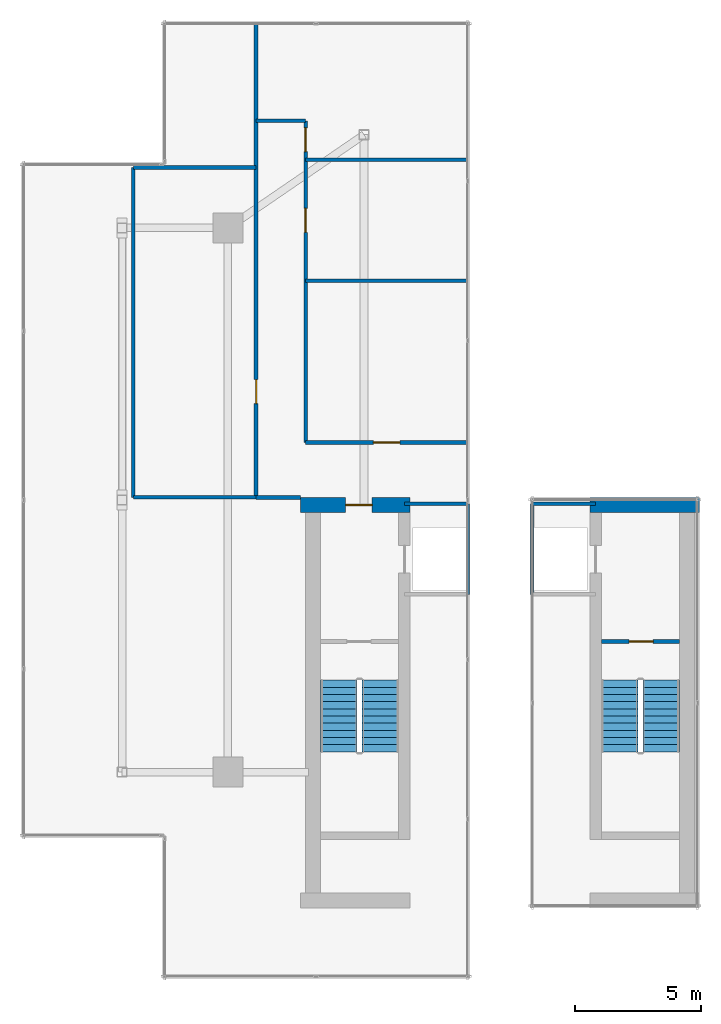
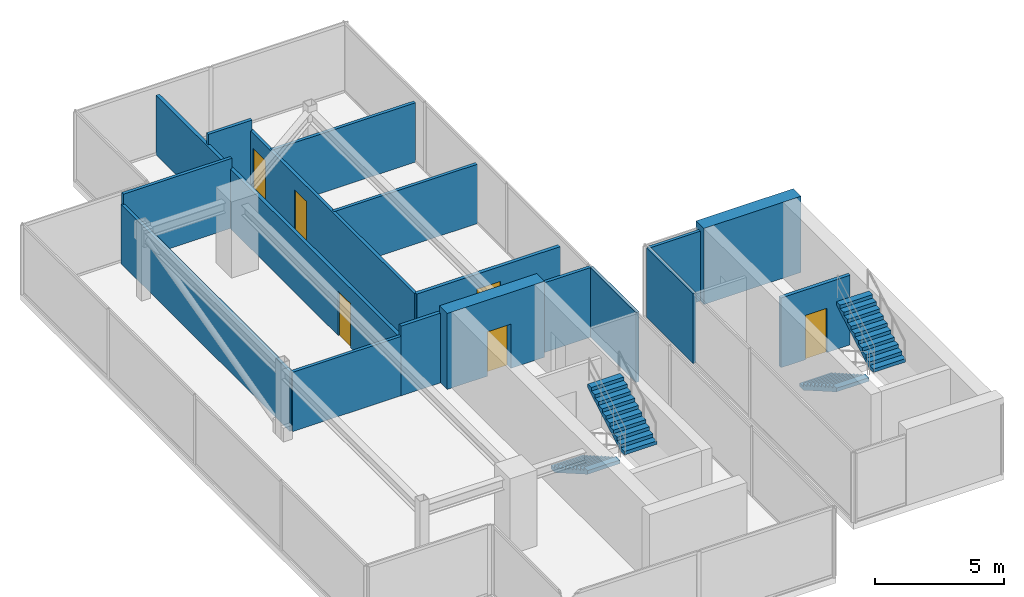
# One storey, part 15 of 16: 17 walls, 6 doors, 4 stair flights, 6 openings, 2 elements without a shape of their own.
"""IFC4 building model written with IfcOpenShell, lengths in metres."""

from ifc_helpers import new_model, si_unit, direction, frame, frame_2d, origin, place, context, subcontext, project, spatial, polyline, rectangle, outline, extrude, material, layer, layer_set, type_object, element, fill, aggregate, save


model = new_model("IFC4")

# Units and contexts
model_context = context("Model", 3, precision=1e-05, world=origin(), true_north=direction((0.0, 1.0)))
body_context = subcontext(model_context, "Body", "Model", "MODEL_VIEW")
ifc_project = project(units=[si_unit("LENGTHUNIT", "METRE"), si_unit("AREAUNIT", "SQUARE_METRE"), si_unit("VOLUMEUNIT", "CUBIC_METRE"), si_unit("PLANEANGLEUNIT", "RADIAN"), si_unit("MASSUNIT", "GRAM", prefix="KILO")], contexts=[model_context])

# Site, building, storey
site_placement = place(None, origin())
site = spatial("IfcSite", under=ifc_project, at=site_placement, CompositionType="ELEMENT")
building_placement = place(site_placement, origin())
building = spatial("IfcBuilding", under=site, at=building_placement, Name="Krantzveldt Concourse Tower", CompositionType="ELEMENT")
storey_placement = place(building_placement, frame((0.0, 0.0, 381.85009765625)))
storey = spatial("IfcBuildingStorey", under=building, at=storey_placement, Name="L94", CompositionType="ELEMENT", Elevation=381.85009765625)

# Walls
ifc_material_1 = material(Name="Fire-rated gypsum plasterboard on steel stud", Category="steel")
ifc_layer_1 = layer(ifc_material_1, 0.139892578125, Name="Fire-rated gypsum plasterboard on steel stud", Category="steel")
ifc_layer_set_1 = layer_set([ifc_layer_1], Name="Fire-rated gypsum plasterboard on steel stud (WL-PART-FR140)")
wall_type_1 = type_object("IfcWallType", Name="WL-PART-FR140", PredefinedType="PARTITIONING", material=ifc_layer_set_1)
wall_1_placement = place(storey_placement, frame((34.719970703125, 22.949951171875, 0.0), z_axis=(0.0, 0.0, 1.0), x_axis=(0.0, 1.0, 0.0)))
element("IfcWall", 1, at=wall_1_placement, inside=storey, type_object=wall_type_1, Name="WP-L94-FL1E", PredefinedType="PARTITIONING", context=body_context, shape_type="SweptSolid", body=[
    extrude(rectangle(XDim=3.60009765625, YDim=0.139892578125, at=frame_2d((1.800048828125, 0.0))), origin(), (0.0, 0.0, 1.0), 3.2998046875),
])
wall_2_placement = place(storey_placement, frame((32.2099609375, 26.550048828125, 0.0), z_axis=(0.0, 0.0, 1.0), x_axis=(1.0, 0.0, 0.0)))
element("IfcWall", 2, at=wall_2_placement, inside=storey, type_object=wall_type_1, Name="WP-L94-FL1N", PredefinedType="PARTITIONING", context=body_context, shape_type="SweptSolid", body=[
    extrude(rectangle(XDim=2.510009765625, YDim=0.139892578125, at=frame_2d((1.2548828125, 0.0))), origin(), (0.0, 0.0, 1.0), 3.2998046875),
])
wall_3_placement = place(storey_placement, frame((37.280029296875, 22.949951171875, 0.0), z_axis=(0.0, 0.0, 1.0), x_axis=(0.0, 1.0, 0.0)))
element("IfcWall", 3, at=wall_3_placement, inside=storey, type_object=wall_type_1, Name="WP-L94-FL2W", PredefinedType="PARTITIONING", context=body_context, shape_type="SweptSolid", body=[
    extrude(rectangle(XDim=3.60009765625, YDim=0.139892578125, at=frame_2d((1.800048828125, 0.0))), origin(), (0.0, 0.0, 1.0), 3.2998046875),
])
wall_4_placement = place(storey_placement, frame((37.280029296875, 26.550048828125, 0.0), z_axis=(0.0, 0.0, 1.0), x_axis=(1.0, 0.0, 0.0)))
element("IfcWall", 4, at=wall_4_placement, inside=storey, type_object=wall_type_1, Name="WP-L94-FL2N", PredefinedType="PARTITIONING", context=body_context, shape_type="SweptSolid", body=[
    extrude(rectangle(XDim=2.510009765625, YDim=0.139892578125, at=frame_2d((1.2548828125, 0.0))), origin(), (0.0, 0.0, 1.0), 3.2998046875),
])
wall_5_placement = place(storey_placement, frame((21.449951171875, 26.800048828125, 0.0), z_axis=(0.0, 0.0, 1.0), x_axis=(0.0, 1.0, 0.0)))
element("IfcWall", 5, at=wall_5_placement, inside=storey, type_object=wall_type_1, Name="WP-L94-CWW", PredefinedType="PARTITIONING", context=body_context, shape_type="SweptSolid", body=[
    extrude(rectangle(XDim=13.099853515625, YDim=0.139892578125, at=frame_2d((6.5498046875, 0.0))), origin(), (0.0, 0.0, 1.0), 2.809814453125),
])
wall_6_placement = place(storey_placement, frame((21.449951171875, 26.800048828125, 0.0), z_axis=(0.0, 0.0, 1.0), x_axis=(1.0, 0.0, 0.0)))
element("IfcWall", 6, at=wall_6_placement, inside=storey, type_object=wall_type_1, Name="WP-L94-CWS", PredefinedType="PARTITIONING", context=body_context, shape_type="SweptSolid", body=[
    extrude(rectangle(XDim=4.8701171875, YDim=0.139892578125, at=frame_2d((2.43505859375, 0.0))), origin(), (0.0, 0.0, 1.0), 2.809814453125),
])
wall_7_placement = place(storey_placement, frame((21.449951171875, 39.89990234375, 0.0), z_axis=(0.0, 0.0, 1.0), x_axis=(1.0, 0.0, 0.0)))
element("IfcWall", 7, at=wall_7_placement, inside=storey, type_object=wall_type_1, Name="WP-L94-CWTOP", PredefinedType="PARTITIONING", context=body_context, shape_type="SweptSolid", body=[
    extrude(rectangle(XDim=4.8701171875, YDim=0.139892578125, at=frame_2d((2.43505859375, 0.0))), origin(), (0.0, 0.0, 1.0), 3.2998046875),
])

# Wall, openings, doors
wall_8_placement = place(storey_placement, frame((28.280029296875, 28.97998046875, 0.0), z_axis=(0.0, 0.0, 1.0), x_axis=(0.0, 1.0, 0.0)))
wall_8 = element("IfcWall", 8, at=wall_8_placement, inside=storey, type_object=wall_type_1, Name="WP-L94-CNKR", PredefinedType="PARTITIONING", context=body_context, shape_type="SweptSolid", body=[
    extrude(rectangle(XDim=12.77001953125, YDim=0.139892578125, at=frame_2d((6.385009765625, 0.0))), origin(), (0.0, 0.0, 1.0), 2.809814453125),
])
opening_1_placement = place(wall_8_placement, frame((8.344970703125, 0.0, 0.0)))
opening_1 = element("IfcOpeningElement", 9, at=opening_1_placement, cuts=wall_8, Name="Opening D-FD695", PredefinedType="OPENING", context=body_context, shape_type="SweptSolid", body=[
    extrude(rectangle(XDim=0.949951171875, YDim=2.10009765625, at=frame_2d((0.47509765625, 1.050048828125))), frame((0.0, 0.080078125, 0.0), z_axis=(0.0, -1.0, 0.0), x_axis=(1.0, 0.0, 0.0)), (0.0, 0.0, 1.0), 0.159912109375),
])
opening_2_placement = place(wall_8_placement, frame((11.544921875, 0.0, 0.0)))
opening_2 = element("IfcOpeningElement", 10, at=opening_2_placement, cuts=wall_8, Name="Opening D-FD695", PredefinedType="OPENING", context=body_context, shape_type="SweptSolid", body=[
    extrude(rectangle(XDim=0.949951171875, YDim=2.10009765625, at=frame_2d((0.47509765625, 1.050048828125))), frame((0.0, 0.080078125, 0.0), z_axis=(0.0, -1.0, 0.0), x_axis=(1.0, 0.0, 0.0)), (0.0, 0.0, 1.0), 0.159912109375),
])
ifc_material_2 = material(Name="Hardwood timber", Category="wood")
door_type_1 = type_object("IfcDoorType", Name="DR-FD60-950", OperationType="SINGLE_SWING_LEFT", PredefinedType="DOOR", material=ifc_material_2)
door_1_placement = place(opening_1_placement, origin())
door_1 = element("IfcDoor", 11, at=door_1_placement, inside=storey, type_object=door_type_1, Name="DR-L94-PLT2", OperationType="SINGLE_SWING_RIGHT", OverallHeight=2.10009765625, OverallWidth=0.949951171875, PredefinedType="DOOR", context=body_context, shape_type="SweptSolid", body=[
    extrude(rectangle(XDim=0.949951171875, YDim=2.10009765625, at=frame_2d((0.47509765625, 1.050048828125))), frame((0.0, 0.02490234375, 0.0), z_axis=(0.0, -1.0, 0.0), x_axis=(1.0, 0.0, 0.0)), (0.0, 0.0, 1.0), 0.050048828125),
])
fill(opening_1, door_1)
door_2_placement = place(opening_2_placement, origin())
door_2 = element("IfcDoor", 12, at=door_2_placement, inside=storey, type_object=door_type_1, Name="DR-L94-PLT3", OperationType="SINGLE_SWING_LEFT", OverallHeight=2.10009765625, OverallWidth=0.949951171875, PredefinedType="DOOR", context=body_context, shape_type="SweptSolid", body=[
    extrude(rectangle(XDim=0.949951171875, YDim=2.10009765625, at=frame_2d((0.47509765625, 1.050048828125))), frame((0.0, 0.02490234375, 0.0), z_axis=(0.0, -1.0, 0.0), x_axis=(1.0, 0.0, 0.0)), (0.0, 0.0, 1.0), 0.050048828125),
])
fill(opening_2, door_2)

# Walls
for number, where, z_axis, x_axis, name in (
    (13, (28.280029296875, 35.39990234375, 0.0), (0.0, 0.0, 1.0), (1.0, 0.0, 0.0), "WP-L94-CDV1"),
    (14, (28.280029296875, 40.199951171875, 0.0), (0.0, 0.0, 1.0), (1.0, 0.0, 0.0), "WP-L94-CDV2"),
):
    element("IfcWall", number, at=place(storey_placement, frame(where, z_axis=z_axis, x_axis=x_axis)), inside=storey, type_object=wall_type_1, Name=name, PredefinedType="PARTITIONING", context=body_context, shape_type="SweptSolid", body=[
        extrude(rectangle(XDim=6.429931640625, YDim=0.139892578125, at=frame_2d((3.21484375, 0.0))), origin(), (0.0, 0.0, 1.0), 2.809814453125),
    ])
wall_9_placement = place(storey_placement, frame((26.320068359375, 41.75, 0.0), z_axis=(0.0, 0.0, 1.0), x_axis=(1.0, 0.0, 0.0)))
element("IfcWall", 15, at=wall_9_placement, inside=storey, type_object=wall_type_1, Name="WP-L94-CNKT", PredefinedType="PARTITIONING", context=body_context, shape_type="SweptSolid", body=[
    extrude(rectangle(XDim=1.9599609375, YDim=0.139892578125, at=frame_2d((0.97998046875, 0.0))), origin(), (0.0, 0.0, 1.0), 3.2998046875),
])

# Wall, opening, door
ifc_layer_2 = layer(ifc_material_1, 0.159912109375, Name="Fire-rated gypsum plasterboard on steel stud", Category="steel")
ifc_layer_set_2 = layer_set([ifc_layer_2], Name="Fire-rated gypsum plasterboard on steel stud (WL-PART-FR160)")
wall_type_2 = type_object("IfcWallType", Name="WL-PART-FR160", PredefinedType="PARTITIONING", material=ifc_layer_set_2)
wall_10_placement = place(storey_placement, frame((40.02001953125, 21.080078125, 0.0), z_axis=(0.0, 0.0, 1.0), x_axis=(1.0, 0.0, 0.0)))
wall_10 = element("IfcWall", 16, at=wall_10_placement, inside=storey, type_object=wall_type_2, Name="WP-L94-ST2", PredefinedType="PARTITIONING", context=body_context, shape_type="SweptSolid", body=[
    extrude(rectangle(XDim=3.10009765625, YDim=0.159912109375, at=frame_2d((1.550048828125, 0.0))), origin(), (0.0, 0.0, 1.0), 3.2998046875),
])
opening_3_placement = place(wall_10_placement, frame((1.10498046875, 0.0, 0.0)))
opening_3 = element("IfcOpeningElement", 17, at=opening_3_placement, cuts=wall_10, Name="Opening D-FD095", PredefinedType="OPENING", context=body_context, shape_type="SweptSolid", body=[
    extrude(rectangle(XDim=0.949951171875, YDim=2.10009765625, at=frame_2d((0.47509765625, 1.050048828125))), frame((0.0, 0.08984375, 0.0), z_axis=(0.0, -1.0, 0.0), x_axis=(1.0, 0.0, 0.0)), (0.0, 0.0, 1.0), 0.179931640625),
])
ifc_material_3 = material(Name="Galvanised steel", Category="steel")
door_type_2 = type_object("IfcDoorType", Name="DR-FD120-950", OperationType="SINGLE_SWING_LEFT", PredefinedType="DOOR", material=ifc_material_3)
door_3_placement = place(opening_3_placement, origin())
door_3 = element("IfcDoor", 18, at=door_3_placement, inside=storey, type_object=door_type_2, Name="DR-L94-ST2", OperationType="SINGLE_SWING_LEFT", OverallHeight=2.10009765625, OverallWidth=0.949951171875, PredefinedType="DOOR", context=body_context, shape_type="SweptSolid", body=[
    extrude(rectangle(XDim=0.949951171875, YDim=2.10009765625, at=frame_2d((0.47509765625, 1.050048828125))), frame((0.0, 0.02490234375, 0.0), z_axis=(0.0, -1.0, 0.0), x_axis=(1.0, 0.0, 0.0)), (0.0, 0.0, 1.0), 0.050048828125),
])
fill(opening_3, door_3)

wall_11_placement = place(storey_placement, frame((28.280029296875, 28.97998046875, 0.0), z_axis=(0.0, 0.0, 1.0), x_axis=(1.0, 0.0, 0.0)))
wall_11 = element("IfcWall", 19, at=wall_11_placement, inside=storey, type_object=wall_type_2, Name="WP-L94-CN1R", PredefinedType="PARTITIONING", context=body_context, shape_type="SweptSolid", body=[
    extrude(rectangle(XDim=6.429931640625, YDim=0.159912109375, at=frame_2d((3.21484375, 0.0))), origin(), (0.0, 0.0, 1.0), 2.809814453125),
])
opening_4_placement = place(wall_11_placement, frame((2.695068359375, 0.0, 0.0)))
opening_4 = element("IfcOpeningElement", 20, at=opening_4_placement, cuts=wall_11, Name="Opening D-FD105", PredefinedType="OPENING", context=body_context, shape_type="SweptSolid", body=[
    extrude(rectangle(XDim=1.050048828125, YDim=2.10009765625, at=frame_2d((0.52490234375, 1.050048828125))), frame((0.0, 0.08984375, 0.0), z_axis=(0.0, -1.0, 0.0), x_axis=(1.0, 0.0, 0.0)), (0.0, 0.0, 1.0), 0.179931640625),
])
door_type_3 = type_object("IfcDoorType", Name="DR-FD120-1050", OperationType="SINGLE_SWING_LEFT", PredefinedType="DOOR", material=ifc_material_3)
door_4_placement = place(opening_4_placement, origin())
door_4 = element("IfcDoor", 21, at=door_4_placement, inside=storey, type_object=door_type_3, Name="DR-L94-PLT1", OperationType="SINGLE_SWING_LEFT", OverallHeight=2.10009765625, OverallWidth=1.050048828125, PredefinedType="DOOR", context=body_context, shape_type="SweptSolid", body=[
    extrude(rectangle(XDim=1.050048828125, YDim=2.10009765625, at=frame_2d((0.52490234375, 1.050048828125))), frame((0.0, 0.02490234375, 0.0), z_axis=(0.0, -1.0, 0.0), x_axis=(1.0, 0.0, 0.0)), (0.0, 0.0, 1.0), 0.050048828125),
])
fill(opening_4, door_4)

# Wall
wall_12_placement = place(storey_placement, frame((26.320068359375, 26.800048828125, 0.0), z_axis=(0.0, 0.0, 1.0), x_axis=(1.0, 0.0, 0.0)))
element("IfcWall", 22, at=wall_12_placement, inside=storey, type_object=wall_type_2, Name="WP-L94-CS1", PredefinedType="PARTITIONING", context=body_context, shape_type="SweptSolid", body=[
    extrude(rectangle(XDim=1.760009765625, YDim=0.159912109375, at=frame_2d((0.8798828125, 0.0))), origin(), (0.0, 0.0, 1.0), 3.2998046875),
])

# Wall, opening, door
wall_13_placement = place(storey_placement, frame((26.320068359375, 26.800048828125, 0.0), z_axis=(0.0, 0.0, 1.0), x_axis=(0.0, 1.0, 0.0)))
wall_13 = element("IfcWall", 23, at=wall_13_placement, inside=storey, type_object=wall_type_2, Name="WP-L94-CWL", PredefinedType="PARTITIONING", context=body_context, shape_type="SweptSolid", body=[
    extrude(rectangle(XDim=18.81005859375, YDim=0.159912109375, at=frame_2d((9.405029296875, 0.0))), origin(), (0.0, 0.0, 1.0), 2.809814453125),
])
opening_5_placement = place(wall_13_placement, frame((3.72509765625, 0.0, 0.0)))
opening_5 = element("IfcOpeningElement", 24, at=opening_5_placement, cuts=wall_13, Name="Opening D-FD695", PredefinedType="OPENING", context=body_context, shape_type="SweptSolid", body=[
    extrude(rectangle(XDim=0.949951171875, YDim=2.10009765625, at=frame_2d((0.47509765625, 1.050048828125))), frame((0.0, 0.08984375, 0.0), z_axis=(0.0, -1.0, 0.0), x_axis=(1.0, 0.0, 0.0)), (0.0, 0.0, 1.0), 0.179931640625),
])
door_5_placement = place(opening_5_placement, origin())
door_5 = element("IfcDoor", 25, at=door_5_placement, inside=storey, type_object=door_type_1, Name="DR-L94-PLT4", OperationType="SINGLE_SWING_LEFT", OverallHeight=2.10009765625, OverallWidth=0.949951171875, PredefinedType="DOOR", context=body_context, shape_type="SweptSolid", body=[
    extrude(rectangle(XDim=0.949951171875, YDim=2.10009765625, at=frame_2d((0.47509765625, 1.050048828125))), frame((0.0, 0.02490234375, 0.0), z_axis=(0.0, -1.0, 0.0), x_axis=(1.0, 0.0, 0.0)), (0.0, 0.0, 1.0), 0.050048828125),
])
fill(opening_5, door_5)

ifc_material_4 = material(Name="Concrete C50/60", Category="concrete")
ifc_layer_3 = layer(ifc_material_4, 0.60009765625, Name="Concrete C50/60", Category="concrete")
ifc_layer_set_3 = layer_set([ifc_layer_3], Name="Concrete C50/60 (WL-SHEAR-600)")
wall_type_3 = type_object("IfcWallType", Name="WL-SHEAR-600", PredefinedType="SHEAR", material=ifc_layer_set_3)
wall_14_placement = place(storey_placement, frame((28.080078125, 26.5, 0.0), z_axis=(0.0, 0.0, 1.0), x_axis=(1.0, 0.0, 0.0)))
wall_14 = element("IfcWall", 26, at=wall_14_placement, inside=storey, type_object=wall_type_3, Name="CW-L94-WC-N", PredefinedType="SHEAR", context=body_context, shape_type="SweptSolid", body=[
    extrude(rectangle(XDim=4.349853515625, YDim=0.60009765625, at=frame_2d((2.1748046875, 0.0))), origin(), (0.0, 0.0, 1.0), 3.599853515625),
])
opening_6_placement = place(wall_14_placement, frame((1.794921875, 0.0, 0.0)))
opening_6 = element("IfcOpeningElement", 27, at=opening_6_placement, cuts=wall_14, Name="Opening D-FD105", PredefinedType="OPENING", context=body_context, shape_type="SweptSolid", body=[
    extrude(rectangle(XDim=1.050048828125, YDim=2.10009765625, at=frame_2d((0.52490234375, 1.050048828125))), frame((0.0, 0.31005859375, 0.0), z_axis=(0.0, -1.0, 0.0), x_axis=(1.0, 0.0, 0.0)), (0.0, 0.0, 1.0), 0.6201171875),
])
door_6_placement = place(opening_6_placement, origin())
door_6 = element("IfcDoor", 28, at=door_6_placement, inside=storey, type_object=door_type_3, Name="DR-L94-FFL1", OperationType="SINGLE_SWING_LEFT", OverallHeight=2.10009765625, OverallWidth=1.050048828125, PredefinedType="DOOR", context=body_context, shape_type="SweptSolid", body=[
    extrude(rectangle(XDim=1.050048828125, YDim=2.10009765625, at=frame_2d((0.52490234375, 1.050048828125))), frame((0.0, 0.02490234375, 0.0), z_axis=(0.0, -1.0, 0.0), x_axis=(1.0, 0.0, 0.0)), (0.0, 0.0, 1.0), 0.050048828125),
])
fill(opening_6, door_6)

# Wall
wall_15_placement = place(storey_placement, frame((39.570068359375, 26.5, 0.0), z_axis=(0.0, 0.0, 1.0), x_axis=(1.0, 0.0, 0.0)))
element("IfcWall", 29, at=wall_15_placement, inside=storey, type_object=wall_type_3, Name="CW-L94-EC-N", PredefinedType="SHEAR", context=body_context, shape_type="SweptSolid", body=[
    extrude(rectangle(XDim=4.349853515625, YDim=0.60009765625, at=frame_2d((2.1748046875, 0.0))), origin(), (0.0, 0.0, 1.0), 3.599853515625),
])

# Stair, stair flights
ifc_material_5 = material(Name="Precast concrete C40/50", Category="concrete")
stair_type = type_object("IfcStairType", Name="STR-CORE-DOGLEG", PredefinedType="HALF_TURN_STAIR", material=ifc_material_5)
stair_1_placement = place(storey_placement, origin())
stair_1 = element("IfcStair", 30, at=stair_1_placement, inside=storey, type_object=stair_type, Name="L94 Protected Escape Stair ST-1", PredefinedType="HALF_TURN_STAIR")
stair_flight_type = type_object("IfcStairFlightType", Name="STF-CORE-1450", PredefinedType="STRAIGHT", material=ifc_material_5)
stair_flight_1_placement = place(storey_placement, frame((29.60498046875, 19.550048828125, 0.0), z_axis=(0.0, 0.0, 1.0), x_axis=(0.0, -1.0, 0.0)))
stair_flight_1 = element("IfcStairFlight", 31, at=stair_flight_1_placement, type_object=stair_flight_type, Name="ST-1 flight 1", NumberOfRisers=11, NumberOfTreads=10, PredefinedType="STRAIGHT", RiserHeight=0.163636364, TreadLength=0.285, context=body_context, shape_type="SweptSolid", body=[
    extrude(outline(polyline([(0.0, 0.0), (0.0, 0.16357421875), (0.284912109375, 0.16357421875), (0.284912109375, 0.327392578125), (0.570068359375, 0.327392578125), (0.570068359375, 0.490966796875), (0.85498046875, 0.490966796875), (0.85498046875, 0.654541015625), (1.139892578125, 0.654541015625), (1.139892578125, 0.818115234375), (1.425048828125, 0.818115234375), (1.425048828125, 0.98193359375), (1.7099609375, 0.98193359375), (1.7099609375, 1.1455078125), (1.9951171875, 1.1455078125), (1.9951171875, 1.30908203125), (2.280029296875, 1.30908203125), (2.280029296875, 1.47265625), (2.56494140625, 1.47265625), (2.56494140625, 1.636474609375), (2.85009765625, 1.636474609375), (2.85009765625, 1.800048828125), (2.85009765625, 1.463623046875), (0.301025390625, 0.0), (0.0, 0.0)])), frame((0.0, 0.72509765625, 0.0), z_axis=(0.0, -1.0, 0.0), x_axis=(1.0, 0.0, 0.0)), (0.0, 0.0, 1.0), 1.449951171875),
])
stair_flight_2_placement = place(storey_placement, frame((31.2548828125, 16.699951171875, 1.7998046875), z_axis=(0.0, 0.0, 1.0), x_axis=(0.0, 1.0, 0.0)))
stair_flight_2 = element("IfcStairFlight", 32, at=stair_flight_2_placement, type_object=stair_flight_type, Name="ST-1 flight 2", NumberOfRisers=11, NumberOfTreads=10, PredefinedType="STRAIGHT", RiserHeight=0.163636364, TreadLength=0.285, context=body_context, shape_type="SweptSolid", body=[
    extrude(outline(polyline([(0.0, 0.0), (0.0, 0.16357421875), (0.284912109375, 0.16357421875), (0.284912109375, 0.327392578125), (0.570068359375, 0.327392578125), (0.570068359375, 0.490966796875), (0.85498046875, 0.490966796875), (0.85498046875, 0.654541015625), (1.139892578125, 0.654541015625), (1.139892578125, 0.818115234375), (1.425048828125, 0.818115234375), (1.425048828125, 0.98193359375), (1.7099609375, 0.98193359375), (1.7099609375, 1.1455078125), (1.9951171875, 1.1455078125), (1.9951171875, 1.30908203125), (2.280029296875, 1.30908203125), (2.280029296875, 1.47265625), (2.56494140625, 1.47265625), (2.56494140625, 1.636474609375), (2.85009765625, 1.636474609375), (2.85009765625, 1.800048828125), (2.85009765625, 1.463623046875), (0.301025390625, 0.0), (0.0, 0.0)])), frame((0.0, 0.72509765625, 0.0), z_axis=(0.0, -1.0, 0.0), x_axis=(1.0, 0.0, 0.0)), (0.0, 0.0, 1.0), 1.449951171875),
])
aggregate(stair_1, [stair_flight_1, stair_flight_2])

stair_2_placement = place(storey_placement, origin())
stair_2 = element("IfcStair", 33, at=stair_2_placement, inside=storey, type_object=stair_type, Name="L94 Protected Escape Stair ST-2", PredefinedType="HALF_TURN_STAIR")
stair_flight_3_placement = place(storey_placement, frame((40.7451171875, 19.550048828125, 0.0), z_axis=(0.0, 0.0, 1.0), x_axis=(0.0, -1.0, 0.0)))
stair_flight_3 = element("IfcStairFlight", 34, at=stair_flight_3_placement, type_object=stair_flight_type, Name="ST-2 flight 1", NumberOfRisers=11, NumberOfTreads=10, PredefinedType="STRAIGHT", RiserHeight=0.163636364, TreadLength=0.285, context=body_context, shape_type="SweptSolid", body=[
    extrude(outline(polyline([(0.0, 0.0), (0.0, 0.16357421875), (0.284912109375, 0.16357421875), (0.284912109375, 0.327392578125), (0.570068359375, 0.327392578125), (0.570068359375, 0.490966796875), (0.85498046875, 0.490966796875), (0.85498046875, 0.654541015625), (1.139892578125, 0.654541015625), (1.139892578125, 0.818115234375), (1.425048828125, 0.818115234375), (1.425048828125, 0.98193359375), (1.7099609375, 0.98193359375), (1.7099609375, 1.1455078125), (1.9951171875, 1.1455078125), (1.9951171875, 1.30908203125), (2.280029296875, 1.30908203125), (2.280029296875, 1.47265625), (2.56494140625, 1.47265625), (2.56494140625, 1.636474609375), (2.85009765625, 1.636474609375), (2.85009765625, 1.800048828125), (2.85009765625, 1.463623046875), (0.301025390625, 0.0), (0.0, 0.0)])), frame((0.0, 0.72509765625, 0.0), z_axis=(0.0, -1.0, 0.0), x_axis=(1.0, 0.0, 0.0)), (0.0, 0.0, 1.0), 1.449951171875),
])
stair_flight_4_placement = place(storey_placement, frame((42.39501953125, 16.699951171875, 1.7998046875), z_axis=(0.0, 0.0, 1.0), x_axis=(0.0, 1.0, 0.0)))
stair_flight_4 = element("IfcStairFlight", 35, at=stair_flight_4_placement, type_object=stair_flight_type, Name="ST-2 flight 2", NumberOfRisers=11, NumberOfTreads=10, PredefinedType="STRAIGHT", RiserHeight=0.163636364, TreadLength=0.285, context=body_context, shape_type="SweptSolid", body=[
    extrude(outline(polyline([(0.0, 0.0), (0.0, 0.16357421875), (0.284912109375, 0.16357421875), (0.284912109375, 0.327392578125), (0.570068359375, 0.327392578125), (0.570068359375, 0.490966796875), (0.85498046875, 0.490966796875), (0.85498046875, 0.654541015625), (1.139892578125, 0.654541015625), (1.139892578125, 0.818115234375), (1.425048828125, 0.818115234375), (1.425048828125, 0.98193359375), (1.7099609375, 0.98193359375), (1.7099609375, 1.1455078125), (1.9951171875, 1.1455078125), (1.9951171875, 1.30908203125), (2.280029296875, 1.30908203125), (2.280029296875, 1.47265625), (2.56494140625, 1.47265625), (2.56494140625, 1.636474609375), (2.85009765625, 1.636474609375), (2.85009765625, 1.800048828125), (2.85009765625, 1.463623046875), (0.301025390625, 0.0), (0.0, 0.0)])), frame((0.0, 0.72509765625, 0.0), z_axis=(0.0, -1.0, 0.0), x_axis=(1.0, 0.0, 0.0)), (0.0, 0.0, 1.0), 1.449951171875),
])
aggregate(stair_2, [stair_flight_3, stair_flight_4])

save(model, "model.ifc")
